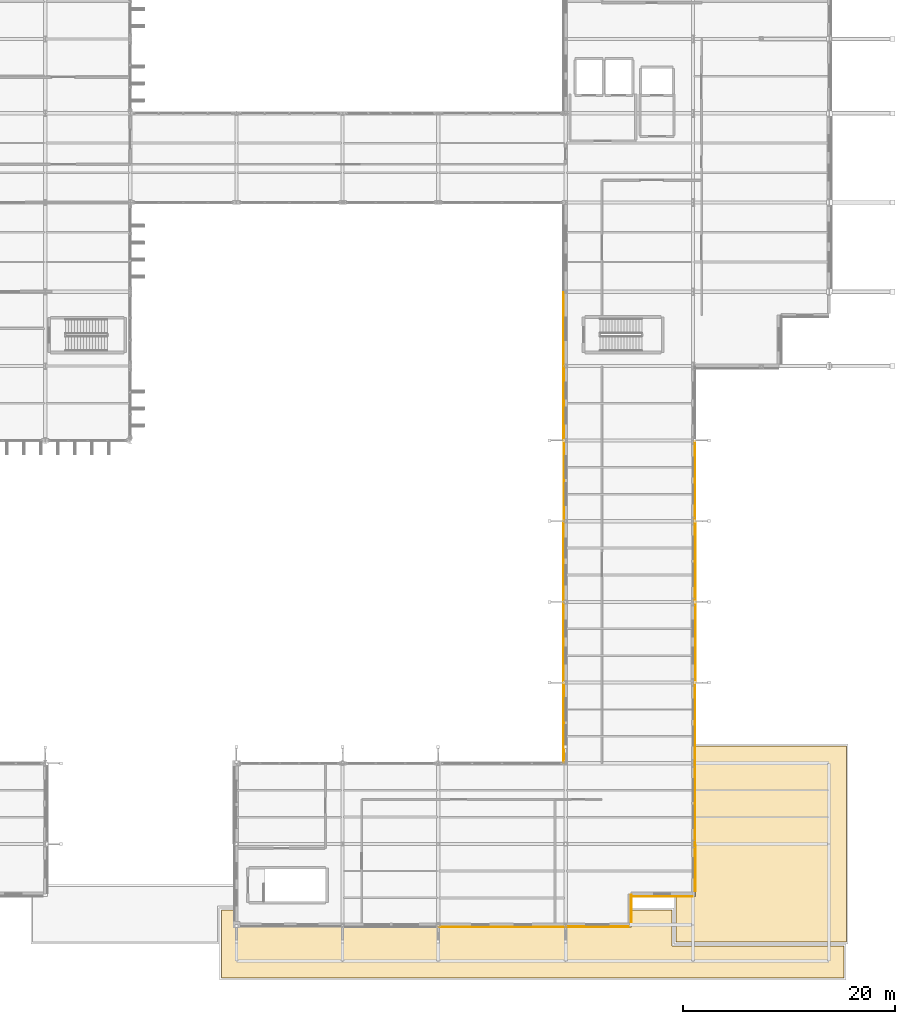
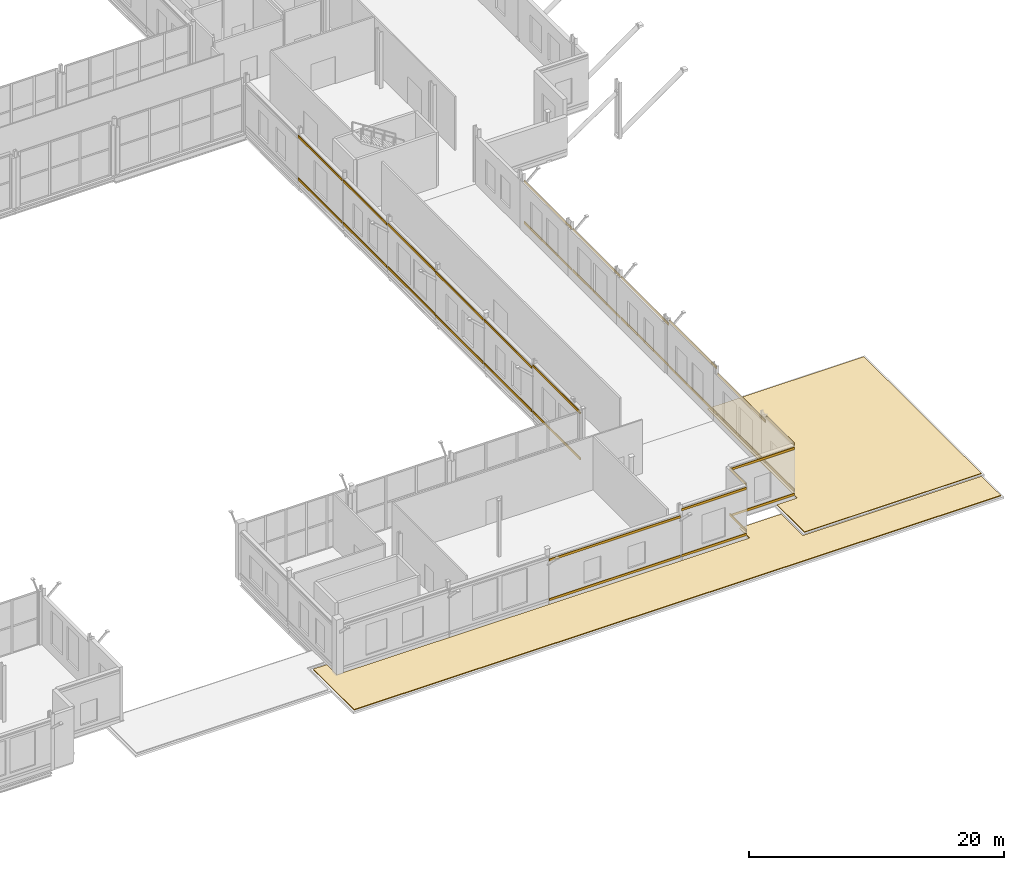
# One storey, part 142 of 147: 34 coverings.
"""IFC4 building model written with IfcOpenShell, lengths in metres."""

from ifc_helpers import new_model, si_unit, direction, frame, origin, origin_2d, place, context, subcontext, project, spatial, polyline, rectangle, outline, extrude, material, layer, layer_set, type_object, element, save


model = new_model("IFC4")

# Units and contexts
model_context = context("Model", 3, precision=1e-05, world=origin(), true_north=direction((0.0, 1.0)))
body_context = subcontext(model_context, "Body", "Model", "MODEL_VIEW")
ifc_project = project(units=[si_unit("LENGTHUNIT", "METRE"), si_unit("AREAUNIT", "SQUARE_METRE"), si_unit("VOLUMEUNIT", "CUBIC_METRE"), si_unit("PLANEANGLEUNIT", "RADIAN"), si_unit("MASSUNIT", "GRAM", prefix="KILO")], contexts=[model_context])

# Site, building, storey
site_placement = place(None, origin())
site = spatial("IfcSite", under=ifc_project, at=site_placement, CompositionType="ELEMENT")
building_placement = place(site_placement, origin())
building = spatial("IfcBuilding", under=site, at=building_placement, Name="Vekula Escarpment Museum", CompositionType="ELEMENT")
storey_placement = place(building_placement, frame((0.0, 0.0, 7.800048828125)))
storey = spatial("IfcBuildingStorey", under=building, at=storey_placement, Name="L02", CompositionType="ELEMENT", Elevation=7.800048828125)

# Coverings
ifc_material_1 = material(Name="Polychrome limestone almasik string-course band", Category="masonry")
ifc_layer_1 = layer(ifc_material_1, 0.06005859375)
ifc_layer_set_1 = layer_set([ifc_layer_1], Name="Polychrome limestone almasik string-course band")
covering_type_1 = type_object("IfcCoveringType", Name="COV-ALM-BAND", PredefinedType="CLADDING", material=ifc_layer_set_1)
for number, where, z_axis, x_axis, name in (
    (1, (166.799072265625, 56.10009765625, 0.41015625), (0.0, 0.0, 1.0), (0.0, 1.0, 0.0), "Almasik Stone String Course L02-0259"),
    (2, (166.799072265625, 56.10009765625, 4.48486328125), (0.0, 0.0, 1.0), (0.0, 1.0, 0.0), "Almasik Stone String Course L02-0260"),
    (3, (166.81396484375, 49.10009765625, 0.41015625), (0.0, 0.0, 1.0), (0.0, 1.0, 0.0), "Almasik Stone String Course L02-0261"),
    (4, (166.81396484375, 49.10009765625, 4.48486328125), (0.0, 0.0, 1.0), (0.0, 1.0, 0.0), "Almasik Stone String Course L02-0262"),
):
    element("IfcCovering", number, at=place(storey_placement, frame(where, z_axis=z_axis, x_axis=x_axis)), inside=storey, type_object=covering_type_1, Name=name, PredefinedType="CLADDING", context=body_context, shape_type="SweptSolid", body=[
        extrude(rectangle(XDim=6.8798828125, YDim=0.06005859375, at=origin_2d()), origin(), (0.0, 0.0, 1.0), 0.219970703125),
    ])
for number, where, z_axis, x_axis, name in (
    (5, (166.823974609375, 41.800048828125, 0.41015625), (0.0, 0.0, 1.0), (0.0, 1.0, 0.0), "Almasik Stone String Course L02-0263"),
    (6, (166.823974609375, 41.800048828125, 4.56494140625), (0.0, 0.0, 1.0), (0.0, 1.0, 0.0), "Almasik Stone String Course L02-0264"),
    (7, (166.783935546875, 34.199951171875, 0.41015625), (0.0, 0.0, 1.0), (0.0, 1.0, 0.0), "Almasik Stone String Course L02-0265"),
    (8, (166.783935546875, 34.199951171875, 4.56494140625), (0.0, 0.0, 1.0), (0.0, 1.0, 0.0), "Almasik Stone String Course L02-0266"),
    (9, (166.799072265625, 26.60009765625, 0.41015625), (0.0, 0.0, 1.0), (0.0, 1.0, 0.0), "Almasik Stone String Course L02-0267"),
    (10, (166.799072265625, 26.60009765625, 4.56494140625), (0.0, 0.0, 1.0), (0.0, 1.0, 0.0), "Almasik Stone String Course L02-0268"),
    (11, (166.81396484375, 19.0, 0.41015625), (0.0, 0.0, 1.0), (0.0, 1.0, 0.0), "Almasik Stone String Course L02-0269"),
    (12, (166.81396484375, 19.0, 4.81982421875), (0.0, 0.0, 1.0), (0.0, 1.0, 0.0), "Almasik Stone String Course L02-0270"),
):
    element("IfcCovering", number, at=place(storey_placement, frame(where, z_axis=z_axis, x_axis=x_axis)), inside=storey, type_object=covering_type_1, Name=name, PredefinedType="CLADDING", context=body_context, shape_type="SweptSolid", body=[
        extrude(rectangle(XDim=7.47998046875, YDim=0.06005859375, at=origin_2d()), origin(), (0.0, 0.0, 1.0), 0.219970703125),
    ])
for number, where, z_axis, x_axis, name in (
    (13, (161.0, -0.200927734375, 0.41015625), (0.0, 0.0, 1.0), (1.0, 0.0, 0.0), "Almasik Stone String Course L02-0279"),
    (14, (161.0, -0.200927734375, 4.205078125), (0.0, 0.0, 1.0), (1.0, 0.0, 0.0), "Almasik Stone String Course L02-0280"),
):
    element("IfcCovering", number, at=place(storey_placement, frame(where, z_axis=z_axis, x_axis=x_axis)), inside=storey, type_object=covering_type_1, Name=name, PredefinedType="CLADDING", context=body_context, shape_type="SweptSolid", body=[
        extrude(rectangle(XDim=11.8798828125, YDim=0.06005859375, at=origin_2d()), origin(), (0.0, 0.0, 1.0), 0.219970703125),
    ])
for number, where, z_axis, x_axis, name in (
    (15, (170.0, -0.18603515625, 0.41015625), (0.0, 0.0, 1.0), (1.0, 0.0, 0.0), "Almasik Stone String Course L02-0281"),
    (16, (170.0, -0.18603515625, 4.81982421875), (0.0, 0.0, 1.0), (1.0, 0.0, 0.0), "Almasik Stone String Course L02-0282"),
):
    element("IfcCovering", number, at=place(storey_placement, frame(where, z_axis=z_axis, x_axis=x_axis)), inside=storey, type_object=covering_type_1, Name=name, PredefinedType="CLADDING", context=body_context, shape_type="SweptSolid", body=[
        extrude(rectangle(XDim=5.8798828125, YDim=0.06005859375, at=origin_2d()), origin(), (0.0, 0.0, 1.0), 0.219970703125),
    ])
for number, where, z_axis, x_axis, name in (
    (17, (173.176025390625, 1.52587890625, 0.41015625), (0.0, 0.0, 1.0), (0.0, 1.0, 0.0), "Almasik Stone String Course L02-0283"),
    (18, (173.176025390625, 1.52587890625, 4.81982421875), (0.0, 0.0, 1.0), (0.0, 1.0, 0.0), "Almasik Stone String Course L02-0284"),
):
    element("IfcCovering", number, at=place(storey_placement, frame(where, z_axis=z_axis, x_axis=x_axis)), inside=storey, type_object=covering_type_1, Name=name, PredefinedType="CLADDING", context=body_context, shape_type="SweptSolid", body=[
        extrude(rectangle(XDim=2.60400390625, YDim=0.06005859375, at=origin_2d()), origin(), (0.0, 0.0, 1.0), 0.219970703125),
    ])
for number, where, z_axis, x_axis, name in (
    (19, (176.076904296875, 2.672119140625, 0.41015625), (0.0, 0.0, 1.0), (1.0, 0.0, 0.0), "Almasik Stone String Course L02-0285"),
    (20, (176.076904296875, 2.672119140625, 4.81982421875), (0.0, 0.0, 1.0), (1.0, 0.0, 0.0), "Almasik Stone String Course L02-0286"),
):
    element("IfcCovering", number, at=place(storey_placement, frame(where, z_axis=z_axis, x_axis=x_axis)), inside=storey, type_object=covering_type_1, Name=name, PredefinedType="CLADDING", context=body_context, shape_type="SweptSolid", body=[
        extrude(rectangle(XDim=5.72607421875, YDim=0.06005859375, at=origin_2d()), origin(), (0.0, 0.0, 1.0), 0.219970703125),
    ])
for number, where, z_axis, x_axis, name in (
    (21, (179.200927734375, 5.341064453125, 0.41015625), (0.0, 0.0, 1.0), (0.0, 1.0, 0.0), "Almasik Stone String Course L02-0287"),
    (22, (179.200927734375, 5.341064453125, 4.81982421875), (0.0, 0.0, 1.0), (0.0, 1.0, 0.0), "Almasik Stone String Course L02-0288"),
):
    element("IfcCovering", number, at=place(storey_placement, frame(where, z_axis=z_axis, x_axis=x_axis)), inside=storey, type_object=covering_type_1, Name=name, PredefinedType="CLADDING", context=body_context, shape_type="SweptSolid", body=[
        extrude(rectangle(XDim=4.39794921875, YDim=0.06005859375, at=origin_2d()), origin(), (0.0, 0.0, 1.0), 0.219970703125),
    ])
for number, where, z_axis, x_axis, name in (
    (23, (179.18603515625, 11.39990234375, 0.41015625), (0.0, 0.0, 1.0), (0.0, 1.0, 0.0), "Almasik Stone String Course L02-0289"),
    (24, (179.18603515625, 11.39990234375, 4.30517578125), (0.0, 0.0, 1.0), (0.0, 1.0, 0.0), "Almasik Stone String Course L02-0290"),
    (25, (179.176025390625, 19.0, 0.41015625), (0.0, 0.0, 1.0), (0.0, 1.0, 0.0), "Almasik Stone String Course L02-0291"),
    (26, (179.176025390625, 19.0, 4.81982421875), (0.0, 0.0, 1.0), (0.0, 1.0, 0.0), "Almasik Stone String Course L02-0292"),
    (27, (179.216064453125, 26.60009765625, 0.41015625), (0.0, 0.0, 1.0), (0.0, 1.0, 0.0), "Almasik Stone String Course L02-0293"),
    (28, (179.216064453125, 26.60009765625, 4.35498046875), (0.0, 0.0, 1.0), (0.0, 1.0, 0.0), "Almasik Stone String Course L02-0294"),
    (29, (179.200927734375, 34.199951171875, 0.41015625), (0.0, 0.0, 1.0), (0.0, 1.0, 0.0), "Almasik Stone String Course L02-0295"),
    (30, (179.200927734375, 34.199951171875, 4.35498046875), (0.0, 0.0, 1.0), (0.0, 1.0, 0.0), "Almasik Stone String Course L02-0296"),
    (31, (179.18603515625, 41.800048828125, 0.41015625), (0.0, 0.0, 1.0), (0.0, 1.0, 0.0), "Almasik Stone String Course L02-0297"),
    (32, (179.18603515625, 41.800048828125, 4.35498046875), (0.0, 0.0, 1.0), (0.0, 1.0, 0.0), "Almasik Stone String Course L02-0298"),
):
    element("IfcCovering", number, at=place(storey_placement, frame(where, z_axis=z_axis, x_axis=x_axis)), inside=storey, type_object=covering_type_1, Name=name, PredefinedType="CLADDING", context=body_context, shape_type="SweptSolid", body=[
        extrude(rectangle(XDim=7.47998046875, YDim=0.06005859375, at=origin_2d()), origin(), (0.0, 0.0, 1.0), 0.219970703125),
    ])
ifc_material_2 = material(Name="Standing-seam patinated copper roofing", Category="metal")
ifc_layer_2 = layer(ifc_material_2, 0.06005859375)
ifc_layer_set_2 = layer_set([ifc_layer_2], Name="Standing-seam patinated copper roofing")
covering_type_2 = type_object("IfcCoveringType", Name="COV-ROOF-COPPER", PredefinedType="ROOFING", material=ifc_layer_set_2)
covering_1_placement = place(storey_placement, origin())
element("IfcCovering", 33, at=covering_1_placement, inside=storey, type_object=covering_type_2, Name="Overhanging Eave Roof Covering R-L02-Z9E", PredefinedType="ROOFING", context=body_context, shape_type="SweptSolid", body=[
    extrude(outline(polyline([(177.3798828125, 2.677978515625), (179.2099609375, 2.677978515625), (179.2099609375, 16.820068359375), (193.419921875, 16.820068359375), (193.419921875, -1.6201171875), (177.3798828125, -1.6201171875), (177.3798828125, 2.677978515625)])), origin(), (0.0, 0.0, 1.0), 0.06005859375),
])
ifc_material_3 = material(Name="Insulated TPO roof waterproofing membrane", Category="membrane")
ifc_layer_3 = layer(ifc_material_3, 0.080078125)
ifc_layer_set_3 = layer_set([ifc_layer_3], Name="Insulated TPO roof waterproofing membrane")
covering_type_3 = type_object("IfcCoveringType", Name="COV-ROOF-MEMB", PredefinedType="ROOFING", material=ifc_layer_set_3)
covering_2_placement = place(storey_placement, origin())
element("IfcCovering", 34, at=covering_2_placement, inside=storey, type_object=covering_type_3, Name="Overhanging Eave Roof Covering R-L02-REVAK", PredefinedType="ROOFING", context=body_context, shape_type="SweptSolid", body=[
    extrude(outline(polyline([(134.580078125, 1.3798828125), (135.7900390625, 1.3798828125), (135.7900390625, -0.2099609375), (173.2099609375, -0.2099609375), (173.2099609375, 1.3798828125), (176.9951171875, 1.3798828125), (176.9951171875, -2.0048828125), (193.219970703125, -2.0048828125), (193.219970703125, -5.02001953125), (134.580078125, -5.02001953125), (134.580078125, 1.3798828125)])), origin(), (0.0, 0.0, 1.0), 0.079833984375),
])

save(model, "model.ifc")
